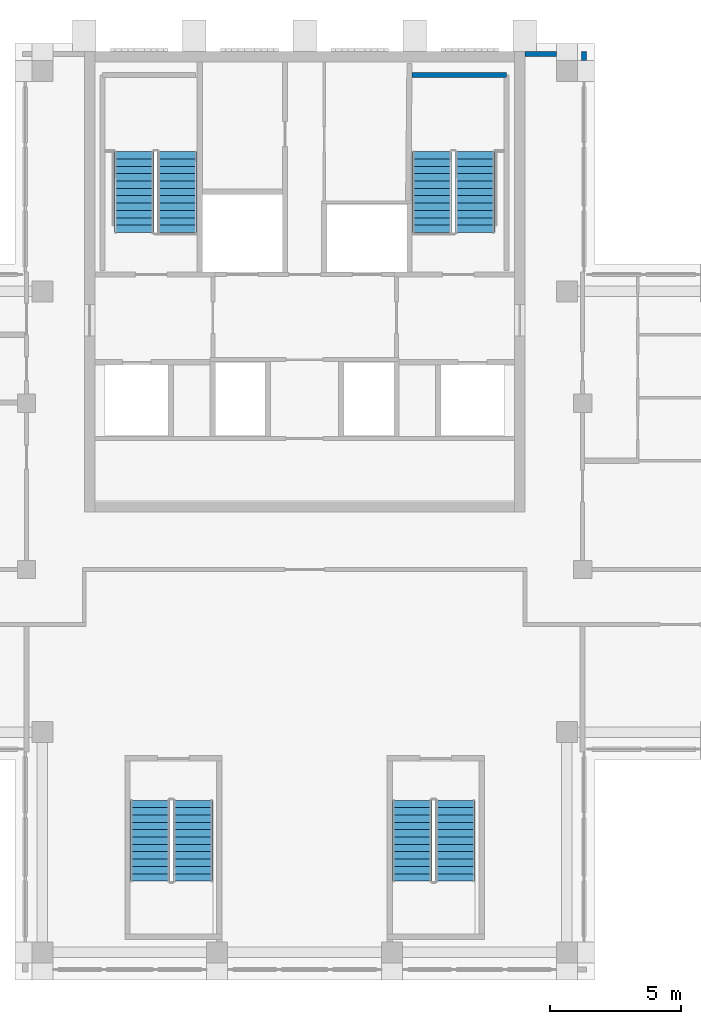
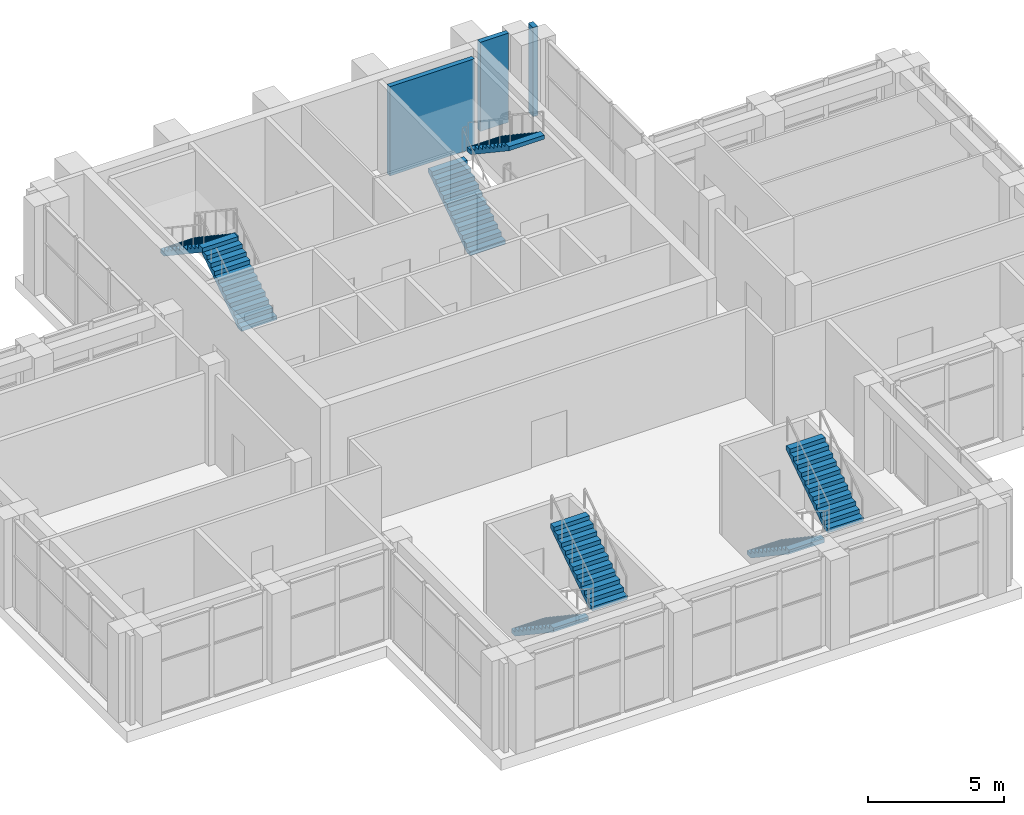
# One storey, part 11 of 14: 8 stair flights, 3 walls, 4 elements without a shape of their own.
"""IFC4 building model written with IfcOpenShell, lengths in metres."""

from ifc_helpers import new_model, si_unit, direction, frame, frame_2d, origin, place, context, subcontext, project, spatial, polyline, rectangle, outline, extrude, material, layer, layer_set, type_object, element, aggregate, save


model = new_model("IFC4")

# Units and contexts
model_context = context("Model", 3, precision=1e-05, world=origin(), true_north=direction((0.0, 1.0)))
body_context = subcontext(model_context, "Body", "Model", "MODEL_VIEW")
ifc_project = project(units=[si_unit("LENGTHUNIT", "METRE"), si_unit("AREAUNIT", "SQUARE_METRE"), si_unit("VOLUMEUNIT", "CUBIC_METRE"), si_unit("PLANEANGLEUNIT", "RADIAN"), si_unit("MASSUNIT", "GRAM", prefix="KILO")], contexts=[model_context])

# Site, building, storey
site_placement = place(None, origin())
site = spatial("IfcSite", under=ifc_project, at=site_placement, CompositionType="ELEMENT")
building_placement = place(site_placement, origin())
building = spatial("IfcBuilding", under=site, at=building_placement, Name="Vermilion Ogive Tower", CompositionType="ELEMENT")
storey_placement = place(building_placement, frame((0.0, 0.0, 273.85009765625)))
storey = spatial("IfcBuildingStorey", under=building, at=storey_placement, Name="L72", CompositionType="ELEMENT", Elevation=273.85009765625)

# Walls
ifc_material_1 = material(Name="Concrete B60", Category="concrete")
ifc_layer_1 = layer(ifc_material_1, 0.199951171875)
ifc_layer_set_1 = layer_set([ifc_layer_1], Name="Stair shaft wall 200 Concrete B60")
wall_type_1 = type_object("IfcWallType", Name="Stair shaft wall 200 Concrete B60", PredefinedType="SOLIDWALL", material=ifc_layer_set_1)
wall_1_placement = place(storey_placement, frame((4.10009765625, 20.85009765625, 0.0), z_axis=(0.0, 0.0, 1.0), x_axis=(1.0, 0.0, 0.0)))
element("IfcWall", 1, at=wall_1_placement, inside=storey, type_object=wall_type_1, Name="L72-SW-R008-N1", PredefinedType="SOLIDWALL", context=body_context, shape_type="SweptSolid", body=[
    extrude(rectangle(XDim=3.599853515625, YDim=0.199951171875, at=frame_2d((1.7998046875, 0.0))), origin(), (0.0, 0.0, 1.0), 4.0),
])
ifc_material_2 = material(Name="Aluminium window wall framing", Category="aluminium")
ifc_layer_2 = layer(ifc_material_2, 0.199951171875)
ifc_layer_set_2 = layer_set([ifc_layer_2], Name="Window wall")
wall_type_2 = type_object("IfcWallType", Name="Window wall", PredefinedType="STANDARD", material=ifc_layer_set_2)
wall_2_placement = place(storey_placement, frame((10.64990234375, 21.39990234375, 0.0), z_axis=(0.0, 0.0, 1.0), x_axis=(0.0, 1.0, 0.0)))
element("IfcWall", 2, at=wall_2_placement, inside=storey, type_object=wall_type_2, Name="Window wall X42", PredefinedType="STANDARD", context=body_context, shape_type="SweptSolid", body=[
    extrude(rectangle(XDim=0.35009765625, YDim=0.199951171875, at=frame_2d((0.175048828125, 0.0))), origin(), (0.0, 0.0, 1.0), 4.0),
])
wall_3_placement = place(storey_placement, frame((9.60009765625, 21.64990234375, 0.0), z_axis=(0.0, 0.0, 1.0), x_axis=(-1.0, 0.0, 0.0)))
element("IfcWall", 3, at=wall_3_placement, inside=storey, type_object=wall_type_2, Name="Window wall N11", PredefinedType="STANDARD", context=body_context, shape_type="SweptSolid", body=[
    extrude(rectangle(XDim=1.2001953125, YDim=0.199951171875, at=frame_2d((0.60009765625, 0.0))), origin(), (0.0, 0.0, 1.0), 4.0),
])

# Stair, stair flights
ifc_material_3 = material(Name="Concrete B40", Category="concrete")
stair_type = type_object("IfcStairType", Name="Exit stair 1500", PredefinedType="HALF_TURN_STAIR", material=ifc_material_3)
stair_1_placement = place(storey_placement, origin())
stair_1 = element("IfcStair", 4, at=stair_1_placement, inside=storey, type_object=stair_type, Name="L72 Exit Stair ST1", PredefinedType="HALF_TURN_STAIR")
ifc_material_4 = material(Name="Concrete B40", Category="concrete")
stair_flight_type = type_object("IfcStairFlightType", Name="Stair flight 1500", PredefinedType="STRAIGHT", material=ifc_material_4)
stair_flight_1_placement = place(storey_placement, frame((-4.85009765625, 14.85009765625, 0.0), z_axis=(0.0, 0.0, 1.0), x_axis=(0.0, 1.0, 0.0)))
stair_flight_1 = element("IfcStairFlight", 5, at=stair_flight_1_placement, type_object=stair_flight_type, Name="ST1 flight 1", NumberOfRisers=12, NumberOfTreads=11, PredefinedType="STRAIGHT", RiserHeight=0.1875, TreadLength=0.28, context=body_context, shape_type="SweptSolid", body=[
    extrude(outline(polyline([(0.0, 0.0), (0.0, 0.1875), (0.280029296875, 0.1875), (0.280029296875, 0.375), (0.56005859375, 0.375), (0.56005859375, 0.5625), (0.840087890625, 0.5625), (0.840087890625, 0.75), (1.1201171875, 0.75), (1.1201171875, 0.9375), (1.39990234375, 0.9375), (1.39990234375, 1.125), (1.679931640625, 1.125), (1.679931640625, 1.3125), (1.9599609375, 1.3125), (1.9599609375, 1.5), (2.239990234375, 1.5), (2.239990234375, 1.6875), (2.52001953125, 1.6875), (2.52001953125, 1.875), (2.800048828125, 1.875), (2.800048828125, 2.0625), (3.080078125, 2.0625), (3.080078125, 2.25), (3.080078125, 1.882080078125), (0.26953125, 0.0), (0.0, 0.0)])), frame((0.0, 0.75, 0.0), z_axis=(0.0, -1.0, 0.0), x_axis=(1.0, 0.0, 0.0)), (0.0, 0.0, 1.0), 1.5),
])
stair_flight_2_placement = place(storey_placement, frame((-6.5, 17.929931640625, 2.25), z_axis=(0.0, 0.0, 1.0), x_axis=(0.0, -1.0, 0.0)))
stair_flight_2 = element("IfcStairFlight", 6, at=stair_flight_2_placement, type_object=stair_flight_type, Name="ST1 flight 2", NumberOfRisers=12, NumberOfTreads=11, PredefinedType="STRAIGHT", RiserHeight=0.1875, TreadLength=0.28, context=body_context, shape_type="SweptSolid", body=[
    extrude(outline(polyline([(0.0, 0.0), (0.0, 0.1875), (0.280029296875, 0.1875), (0.280029296875, 0.375), (0.56005859375, 0.375), (0.56005859375, 0.5625), (0.840087890625, 0.5625), (0.840087890625, 0.75), (1.1201171875, 0.75), (1.1201171875, 0.9375), (1.39990234375, 0.9375), (1.39990234375, 1.125), (1.679931640625, 1.125), (1.679931640625, 1.3125), (1.9599609375, 1.3125), (1.9599609375, 1.5), (2.239990234375, 1.5), (2.239990234375, 1.6875), (2.52001953125, 1.6875), (2.52001953125, 1.875), (2.800048828125, 1.875), (2.800048828125, 2.0625), (3.080078125, 2.0625), (3.080078125, 2.25), (3.080078125, 1.882080078125), (0.26953125, 0.0), (0.0, 0.0)])), frame((0.0, 0.75, 0.0), z_axis=(0.0, -1.0, 0.0), x_axis=(1.0, 0.0, 0.0)), (0.0, 0.0, 1.0), 1.5),
])
aggregate(stair_1, [stair_flight_1, stair_flight_2])

stair_2_placement = place(storey_placement, origin())
stair_2 = element("IfcStair", 7, at=stair_2_placement, inside=storey, type_object=stair_type, Name="L72 Exit Stair ST2", PredefinedType="HALF_TURN_STAIR")
stair_flight_3_placement = place(storey_placement, frame((4.85009765625, 14.85009765625, 0.0), z_axis=(0.0, 0.0, 1.0), x_axis=(0.0, 1.0, 0.0)))
stair_flight_3 = element("IfcStairFlight", 8, at=stair_flight_3_placement, type_object=stair_flight_type, Name="ST2 flight 1", NumberOfRisers=12, NumberOfTreads=11, PredefinedType="STRAIGHT", RiserHeight=0.1875, TreadLength=0.28, context=body_context, shape_type="SweptSolid", body=[
    extrude(outline(polyline([(0.0, 0.0), (0.0, 0.1875), (0.280029296875, 0.1875), (0.280029296875, 0.375), (0.56005859375, 0.375), (0.56005859375, 0.5625), (0.840087890625, 0.5625), (0.840087890625, 0.75), (1.1201171875, 0.75), (1.1201171875, 0.9375), (1.39990234375, 0.9375), (1.39990234375, 1.125), (1.679931640625, 1.125), (1.679931640625, 1.3125), (1.9599609375, 1.3125), (1.9599609375, 1.5), (2.239990234375, 1.5), (2.239990234375, 1.6875), (2.52001953125, 1.6875), (2.52001953125, 1.875), (2.800048828125, 1.875), (2.800048828125, 2.0625), (3.080078125, 2.0625), (3.080078125, 2.25), (3.080078125, 1.882080078125), (0.26953125, 0.0), (0.0, 0.0)])), frame((0.0, 0.75, 0.0), z_axis=(0.0, -1.0, 0.0), x_axis=(1.0, 0.0, 0.0)), (0.0, 0.0, 1.0), 1.5),
])
stair_flight_4_placement = place(storey_placement, frame((6.5, 17.929931640625, 2.25), z_axis=(0.0, 0.0, 1.0), x_axis=(0.0, -1.0, 0.0)))
stair_flight_4 = element("IfcStairFlight", 9, at=stair_flight_4_placement, type_object=stair_flight_type, Name="ST2 flight 2", NumberOfRisers=12, NumberOfTreads=11, PredefinedType="STRAIGHT", RiserHeight=0.1875, TreadLength=0.28, context=body_context, shape_type="SweptSolid", body=[
    extrude(outline(polyline([(0.0, 0.0), (0.0, 0.1875), (0.280029296875, 0.1875), (0.280029296875, 0.375), (0.56005859375, 0.375), (0.56005859375, 0.5625), (0.840087890625, 0.5625), (0.840087890625, 0.75), (1.1201171875, 0.75), (1.1201171875, 0.9375), (1.39990234375, 0.9375), (1.39990234375, 1.125), (1.679931640625, 1.125), (1.679931640625, 1.3125), (1.9599609375, 1.3125), (1.9599609375, 1.5), (2.239990234375, 1.5), (2.239990234375, 1.6875), (2.52001953125, 1.6875), (2.52001953125, 1.875), (2.800048828125, 1.875), (2.800048828125, 2.0625), (3.080078125, 2.0625), (3.080078125, 2.25), (3.080078125, 1.882080078125), (0.26953125, 0.0), (0.0, 0.0)])), frame((0.0, 0.75, 0.0), z_axis=(0.0, -1.0, 0.0), x_axis=(1.0, 0.0, 0.0)), (0.0, 0.0, 1.0), 1.5),
])
aggregate(stair_2, [stair_flight_3, stair_flight_4])

stair_3_placement = place(storey_placement, origin())
stair_3 = element("IfcStair", 10, at=stair_3_placement, inside=storey, type_object=stair_type, Name="L72 Exit Stair ST6", PredefinedType="HALF_TURN_STAIR")
stair_flight_5_placement = place(storey_placement, frame((4.10009765625, -6.800048828125, 0.0), z_axis=(0.0, 0.0, 1.0), x_axis=(0.0, -1.0, 0.0)))
stair_flight_5 = element("IfcStairFlight", 11, at=stair_flight_5_placement, type_object=stair_flight_type, Name="ST6 flight 1", NumberOfRisers=12, NumberOfTreads=11, PredefinedType="STRAIGHT", RiserHeight=0.1875, TreadLength=0.28, context=body_context, shape_type="SweptSolid", body=[
    extrude(outline(polyline([(0.0, 0.0), (0.0, 0.1875), (0.280029296875, 0.1875), (0.280029296875, 0.375), (0.56005859375, 0.375), (0.56005859375, 0.5625), (0.840087890625, 0.5625), (0.840087890625, 0.75), (1.1201171875, 0.75), (1.1201171875, 0.9375), (1.39990234375, 0.9375), (1.39990234375, 1.125), (1.679931640625, 1.125), (1.679931640625, 1.3125), (1.9599609375, 1.3125), (1.9599609375, 1.5), (2.239990234375, 1.5), (2.239990234375, 1.6875), (2.52001953125, 1.6875), (2.52001953125, 1.875), (2.800048828125, 1.875), (2.800048828125, 2.0625), (3.080078125, 2.0625), (3.080078125, 2.25), (3.080078125, 1.882080078125), (0.26953125, 0.0), (0.0, 0.0)])), frame((0.0, 0.75, 0.0), z_axis=(0.0, -1.0, 0.0), x_axis=(1.0, 0.0, 0.0)), (0.0, 0.0, 1.0), 1.5),
])
stair_flight_6_placement = place(storey_placement, frame((5.75, -9.8798828125, 2.25), z_axis=(0.0, 0.0, 1.0), x_axis=(0.0, 1.0, 0.0)))
stair_flight_6 = element("IfcStairFlight", 12, at=stair_flight_6_placement, type_object=stair_flight_type, Name="ST6 flight 2", NumberOfRisers=12, NumberOfTreads=11, PredefinedType="STRAIGHT", RiserHeight=0.1875, TreadLength=0.28, context=body_context, shape_type="SweptSolid", body=[
    extrude(outline(polyline([(0.0, 0.0), (0.0, 0.1875), (0.280029296875, 0.1875), (0.280029296875, 0.375), (0.56005859375, 0.375), (0.56005859375, 0.5625), (0.840087890625, 0.5625), (0.840087890625, 0.75), (1.1201171875, 0.75), (1.1201171875, 0.9375), (1.39990234375, 0.9375), (1.39990234375, 1.125), (1.679931640625, 1.125), (1.679931640625, 1.3125), (1.9599609375, 1.3125), (1.9599609375, 1.5), (2.239990234375, 1.5), (2.239990234375, 1.6875), (2.52001953125, 1.6875), (2.52001953125, 1.875), (2.800048828125, 1.875), (2.800048828125, 2.0625), (3.080078125, 2.0625), (3.080078125, 2.25), (3.080078125, 1.882080078125), (0.26953125, 0.0), (0.0, 0.0)])), frame((0.0, 0.75, 0.0), z_axis=(0.0, -1.0, 0.0), x_axis=(1.0, 0.0, 0.0)), (0.0, 0.0, 1.0), 1.5),
])
aggregate(stair_3, [stair_flight_5, stair_flight_6])

stair_4_placement = place(storey_placement, origin())
stair_4 = element("IfcStair", 13, at=stair_4_placement, inside=storey, type_object=stair_type, Name="L72 Exit Stair ST7", PredefinedType="HALF_TURN_STAIR")
stair_flight_7_placement = place(storey_placement, frame((-5.89990234375, -6.800048828125, 0.0), z_axis=(0.0, 0.0, 1.0), x_axis=(0.0, -1.0, 0.0)))
stair_flight_7 = element("IfcStairFlight", 14, at=stair_flight_7_placement, type_object=stair_flight_type, Name="ST7 flight 1", NumberOfRisers=12, NumberOfTreads=11, PredefinedType="STRAIGHT", RiserHeight=0.1875, TreadLength=0.28, context=body_context, shape_type="SweptSolid", body=[
    extrude(outline(polyline([(0.0, 0.0), (0.0, 0.1875), (0.280029296875, 0.1875), (0.280029296875, 0.375), (0.56005859375, 0.375), (0.56005859375, 0.5625), (0.840087890625, 0.5625), (0.840087890625, 0.75), (1.1201171875, 0.75), (1.1201171875, 0.9375), (1.39990234375, 0.9375), (1.39990234375, 1.125), (1.679931640625, 1.125), (1.679931640625, 1.3125), (1.9599609375, 1.3125), (1.9599609375, 1.5), (2.239990234375, 1.5), (2.239990234375, 1.6875), (2.52001953125, 1.6875), (2.52001953125, 1.875), (2.800048828125, 1.875), (2.800048828125, 2.0625), (3.080078125, 2.0625), (3.080078125, 2.25), (3.080078125, 1.882080078125), (0.26953125, 0.0), (0.0, 0.0)])), frame((0.0, 0.75, 0.0), z_axis=(0.0, -1.0, 0.0), x_axis=(1.0, 0.0, 0.0)), (0.0, 0.0, 1.0), 1.5),
])
stair_flight_8_placement = place(storey_placement, frame((-4.25, -9.8798828125, 2.25), z_axis=(0.0, 0.0, 1.0), x_axis=(0.0, 1.0, 0.0)))
stair_flight_8 = element("IfcStairFlight", 15, at=stair_flight_8_placement, type_object=stair_flight_type, Name="ST7 flight 2", NumberOfRisers=12, NumberOfTreads=11, PredefinedType="STRAIGHT", RiserHeight=0.1875, TreadLength=0.28, context=body_context, shape_type="SweptSolid", body=[
    extrude(outline(polyline([(0.0, 0.0), (0.0, 0.1875), (0.280029296875, 0.1875), (0.280029296875, 0.375), (0.56005859375, 0.375), (0.56005859375, 0.5625), (0.840087890625, 0.5625), (0.840087890625, 0.75), (1.1201171875, 0.75), (1.1201171875, 0.9375), (1.39990234375, 0.9375), (1.39990234375, 1.125), (1.679931640625, 1.125), (1.679931640625, 1.3125), (1.9599609375, 1.3125), (1.9599609375, 1.5), (2.239990234375, 1.5), (2.239990234375, 1.6875), (2.52001953125, 1.6875), (2.52001953125, 1.875), (2.800048828125, 1.875), (2.800048828125, 2.0625), (3.080078125, 2.0625), (3.080078125, 2.25), (3.080078125, 1.882080078125), (0.26953125, 0.0), (0.0, 0.0)])), frame((0.0, 0.75, 0.0), z_axis=(0.0, -1.0, 0.0), x_axis=(1.0, 0.0, 0.0)), (0.0, 0.0, 1.0), 1.5),
])
aggregate(stair_4, [stair_flight_7, stair_flight_8])

save(model, "model.ifc")
